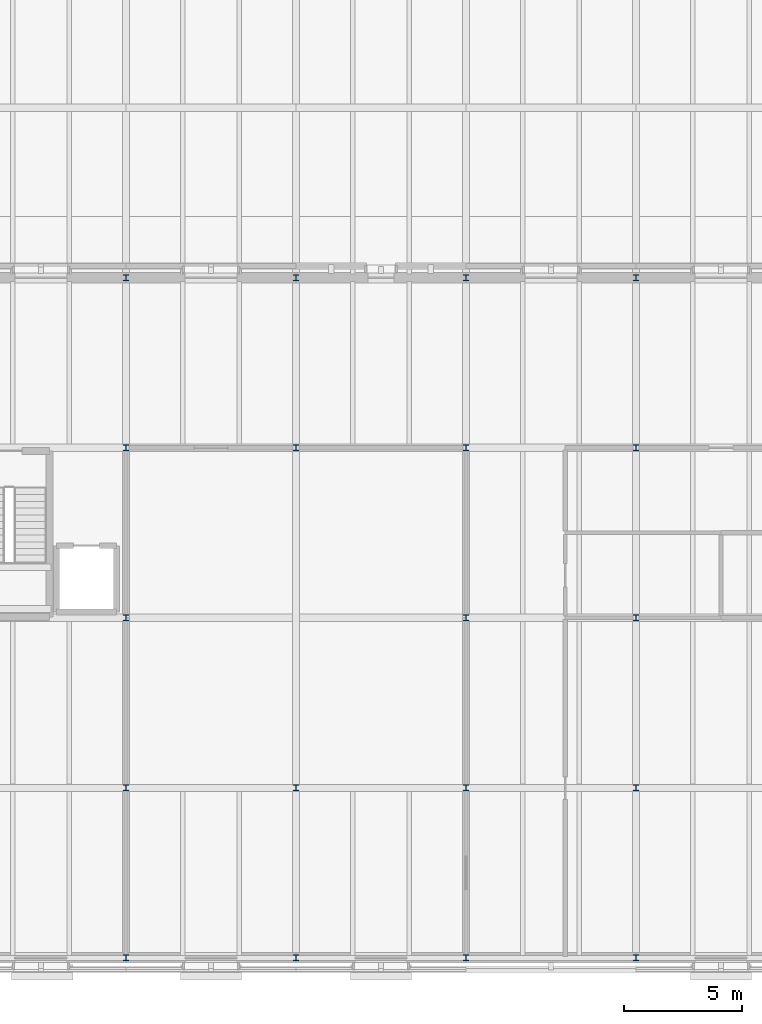
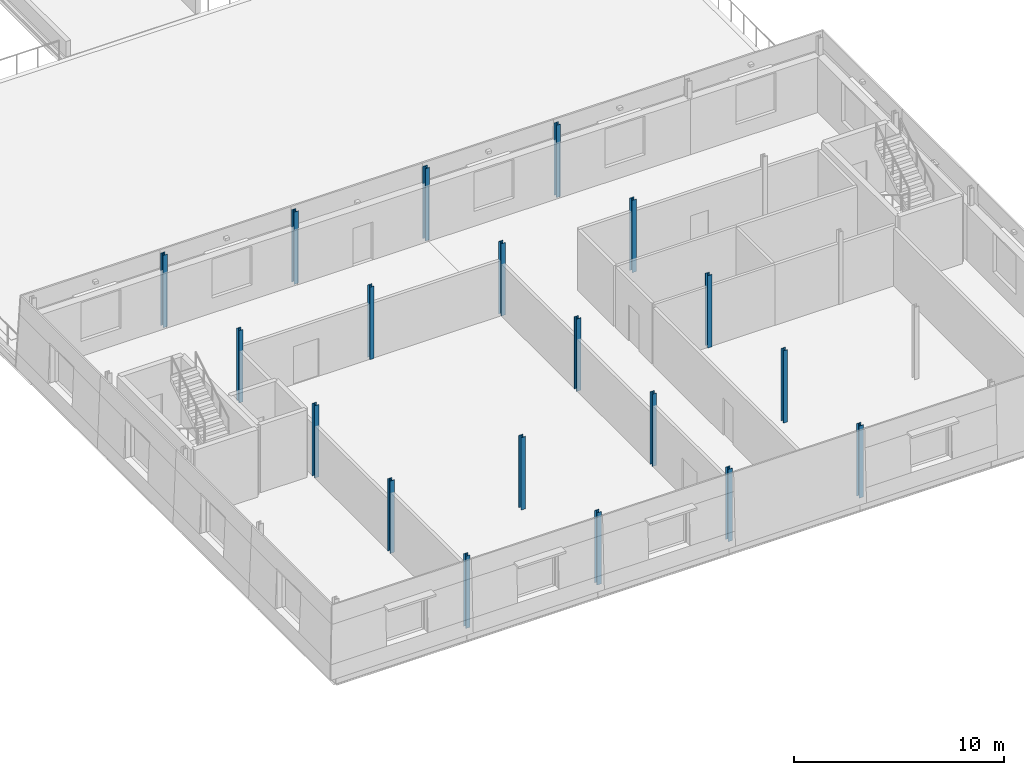
# One storey, part 12 of 115: 19 columns.
"""IFC4 building model written with IfcOpenShell, lengths in metres."""

from ifc_helpers import new_model, si_unit, direction, frame, origin, origin_2d, place, context, subcontext, project, spatial, i_section, extrude, material, material_profile, profile_set, type_object, element, save


model = new_model("IFC4")

# Units and contexts
model_context = context("Model", 3, precision=1e-05, world=origin(), true_north=direction((0.0, 1.0)))
body_context = subcontext(model_context, "Body", "Model", "MODEL_VIEW")
ifc_project = project(units=[si_unit("LENGTHUNIT", "METRE"), si_unit("AREAUNIT", "SQUARE_METRE"), si_unit("VOLUMEUNIT", "CUBIC_METRE"), si_unit("PLANEANGLEUNIT", "RADIAN"), si_unit("MASSUNIT", "GRAM", prefix="KILO")], contexts=[model_context])

# Site, building, storey
site_placement = place(None, origin())
site = spatial("IfcSite", under=ifc_project, at=site_placement, CompositionType="ELEMENT")
building_placement = place(site_placement, origin())
building = spatial("IfcBuilding", under=site, at=building_placement, Name="Narikvali Park Central Library", CompositionType="ELEMENT")
storey_placement = place(building_placement, frame((0.0, 0.0, 10.199951171875)))
storey = spatial("IfcBuildingStorey", under=building, at=storey_placement, Name="L02", CompositionType="ELEMENT", Elevation=10.199951171875)

# Columns
ifc_material = material(Name="Steel S355", Category="steel")
ifc_material_profile = material_profile(ifc_material, i_section(OverallWidth=0.239990234375, OverallDepth=0.239990234375, WebThickness=0.010009765625, FlangeThickness=0.01708984375, FilletRadius=0.02099609375, at=origin_2d()), Name="HEB 240")
ifc_profile_set = profile_set([ifc_material_profile], Name="Steel S355")
column_type = type_object("IfcColumnType", Name="Steel Column HEB240", PredefinedType="COLUMN", material=ifc_profile_set)
for number, where, z_axis, x_axis, name in (
    (1, (129.60009765625, 0.0, 0.0), (0.0, 0.0, 1.0), (1.0, 0.0, 0.0), "V6 L02 Column (129.6,0.0)"),
    (2, (129.60009765625, 7.199951171875, 0.0), (0.0, 0.0, 1.0), (1.0, 0.0, 0.0), "V6 L02 Column (129.6,7.2)"),
    (3, (129.60009765625, 14.39990234375, 0.0), (0.0, 0.0, 1.0), (1.0, 0.0, 0.0), "V6 L02 Column (129.6,14.4)"),
    (4, (129.60009765625, 21.60009765625, 0.0), (0.0, 0.0, 1.0), (1.0, 0.0, 0.0), "V6 L02 Column (129.6,21.6)"),
    (5, (129.60009765625, 28.800048828125, 0.0), (0.0, 0.0, 1.0), (1.0, 0.0, 0.0), "V6 L02 Column (129.6,28.8)"),
    (6, (136.800048828125, 0.0, 0.0), (0.0, 0.0, 1.0), (1.0, 0.0, 0.0), "V6 L02 Column (136.8,0.0)"),
    (7, (136.800048828125, 7.199951171875, 0.0), (0.0, 0.0, 1.0), (1.0, 0.0, 0.0), "V6 L02 Column (136.8,7.2)"),
    (8, (136.800048828125, 21.60009765625, 0.0), (0.0, 0.0, 1.0), (1.0, 0.0, 0.0), "V6 L02 Column (136.8,21.6)"),
    (9, (136.800048828125, 28.800048828125, 0.0), (0.0, 0.0, 1.0), (1.0, 0.0, 0.0), "V6 L02 Column (136.8,28.8)"),
    (10, (144.0, 0.0, 0.0), (0.0, 0.0, 1.0), (1.0, 0.0, 0.0), "V6 L02 Column (144.0,0.0)"),
    (11, (144.0, 7.199951171875, 0.0), (0.0, 0.0, 1.0), (1.0, 0.0, 0.0), "V6 L02 Column (144.0,7.2)"),
    (12, (144.0, 14.39990234375, 0.0), (0.0, 0.0, 1.0), (1.0, 0.0, 0.0), "V6 L02 Column (144.0,14.4)"),
    (13, (144.0, 21.60009765625, 0.0), (0.0, 0.0, 1.0), (1.0, 0.0, 0.0), "V6 L02 Column (144.0,21.6)"),
    (14, (144.0, 28.800048828125, 0.0), (0.0, 0.0, 1.0), (1.0, 0.0, 0.0), "V6 L02 Column (144.0,28.8)"),
    (15, (151.199951171875, 0.0, 0.0), (0.0, 0.0, 1.0), (1.0, 0.0, 0.0), "V6 L02 Column (151.2,0.0)"),
    (16, (151.199951171875, 7.199951171875, 0.0), (0.0, 0.0, 1.0), (1.0, 0.0, 0.0), "V6 L02 Column (151.2,7.2)"),
    (17, (151.199951171875, 14.39990234375, 0.0), (0.0, 0.0, 1.0), (1.0, 0.0, 0.0), "V6 L02 Column (151.2,14.4)"),
    (18, (151.199951171875, 21.60009765625, 0.0), (0.0, 0.0, 1.0), (1.0, 0.0, 0.0), "V6 L02 Column (151.2,21.6)"),
    (19, (151.199951171875, 28.800048828125, 0.0), (0.0, 0.0, 1.0), (1.0, 0.0, 0.0), "V6 L02 Column (151.2,28.8)"),
):
    element("IfcColumn", number, at=place(storey_placement, frame(where, z_axis=z_axis, x_axis=x_axis)), inside=storey, type_object=column_type, Name=name, PredefinedType="COLUMN", context=body_context, shape_type="SweptSolid", body=[
        extrude(i_section(OverallWidth=0.239990234375, OverallDepth=0.239990234375, WebThickness=0.010009765625, FlangeThickness=0.01708984375, FilletRadius=0.02099609375, at=origin_2d()), origin(), (0.0, 0.0, 1.0), 4.199951171875),
    ])

save(model, "model.ifc")
